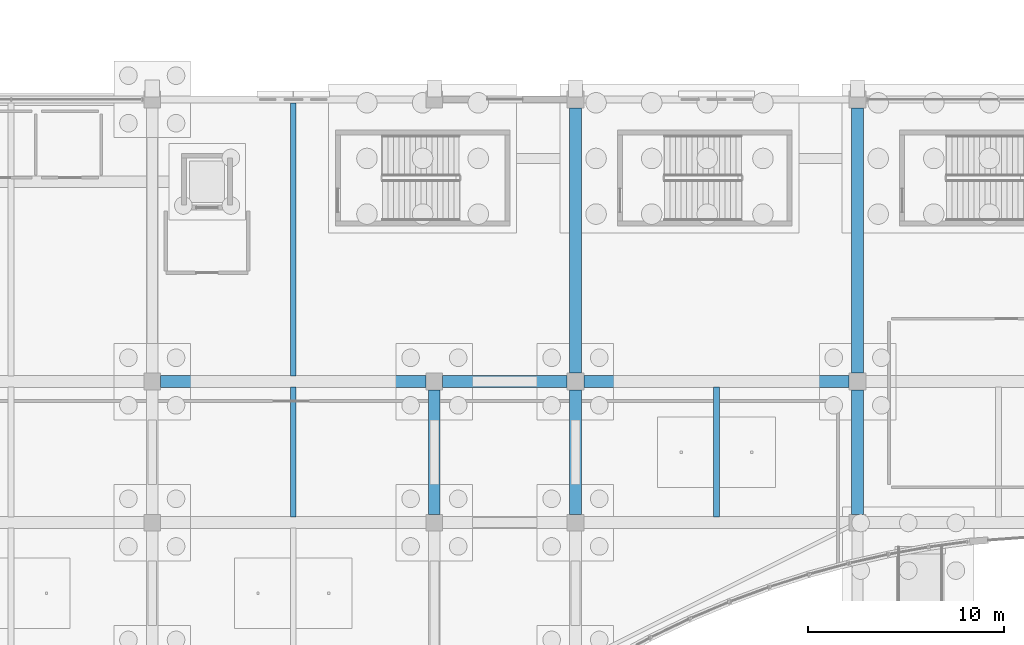
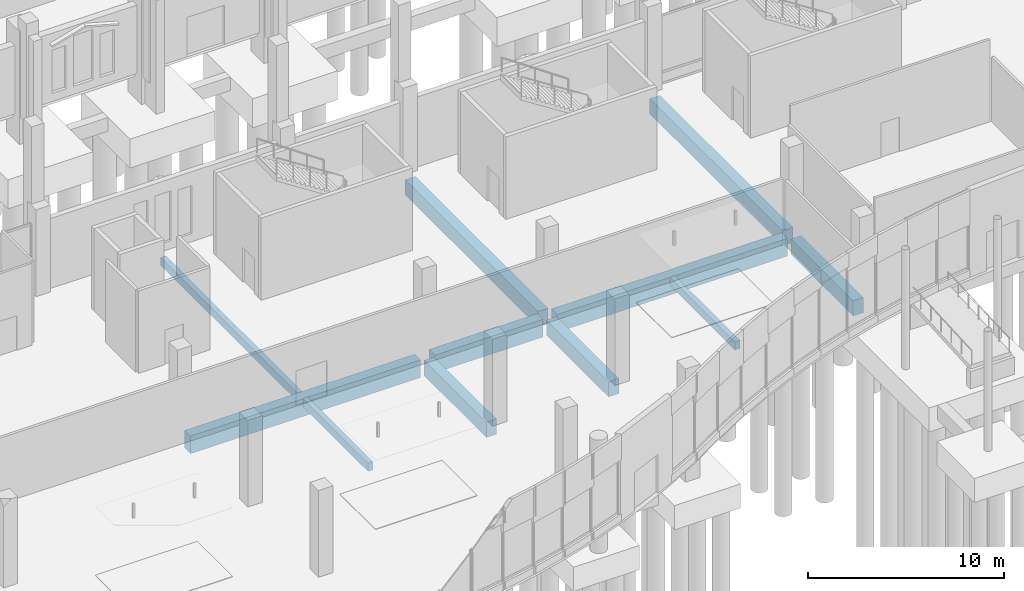
# One storey, part 49 of 192: 11 beams.
"""IFC4 building model written with IfcOpenShell, lengths in metres."""

from ifc_helpers import new_model, si_unit, direction, frame, origin, origin_2d, place, context, subcontext, project, spatial, rectangle, extrude, material, material_profile, profile_set, type_object, element, save


model = new_model("IFC4")

# Units and contexts
model_context = context("Model", 3, precision=1e-05, world=origin(), true_north=direction((0.0, 1.0)))
body_context = subcontext(model_context, "Body", "Model", "MODEL_VIEW")
ifc_project = project(units=[si_unit("LENGTHUNIT", "METRE"), si_unit("AREAUNIT", "SQUARE_METRE"), si_unit("VOLUMEUNIT", "CUBIC_METRE"), si_unit("PLANEANGLEUNIT", "RADIAN"), si_unit("MASSUNIT", "GRAM", prefix="KILO")], contexts=[model_context])

# Site, building, storey
site_placement = place(None, origin())
site = spatial("IfcSite", under=ifc_project, at=site_placement, CompositionType="ELEMENT")
building_placement = place(site_placement, origin())
building = spatial("IfcBuilding", under=site, at=building_placement, Name="Cendralis Lancet Convention Centre", CompositionType="ELEMENT")
storey_placement = place(building_placement, origin())
storey = spatial("IfcBuildingStorey", under=building, at=storey_placement, Name="L00", CompositionType="ELEMENT", Elevation=0.0)

# Beams
ifc_material_1 = material(Name="Concrete G40 (C40/50)", Category="concrete")
ifc_material_profile_1 = material_profile(ifc_material_1, rectangle(XDim=0.60009765625, YDim=1.10009765625, at=origin_2d()), Name="RCB 600x1100")
ifc_profile_set_1 = profile_set([ifc_material_profile_1], Name="Concrete G40 (C40/50)")
beam_type_1 = type_object("IfcBeamType", Name="STR-BM-BG02", PredefinedType="BEAM", material=ifc_profile_set_1)
beam_1_placement = place(storey_placement, frame((58.02490234375, 21.60009765625, -0.8701171875), z_axis=(1.0, 0.0, 0.0), x_axis=(0.0, 1.0, 0.0)))
element("IfcBeam", 1, at=beam_1_placement, inside=storey, type_object=beam_type_1, Name="L00 Beam BG02 #0676", PredefinedType="BEAM", context=body_context, shape_type="SweptSolid", body=[
    extrude(rectangle(XDim=0.60009765625, YDim=1.10009765625, at=origin_2d()), origin(), (0.0, 0.0, 1.0), 13.550048828125),
])
beam_2_placement = place(storey_placement, frame((72.425048828125, 21.60009765625, -0.8701171875), z_axis=(1.0, 0.0, 0.0), x_axis=(0.0, 1.0, 0.0)))
element("IfcBeam", 2, at=beam_2_placement, inside=storey, type_object=beam_type_1, Name="L00 Beam BG02 #0677", PredefinedType="BEAM", context=body_context, shape_type="SweptSolid", body=[
    extrude(rectangle(XDim=0.60009765625, YDim=1.10009765625, at=origin_2d()), origin(), (0.0, 0.0, 1.0), 6.349853515625),
])
beam_3_placement = place(storey_placement, frame((79.625, 21.60009765625, -0.8701171875), z_axis=(1.0, 0.0, 0.0), x_axis=(0.0, 1.0, 0.0)))
element("IfcBeam", 3, at=beam_3_placement, inside=storey, type_object=beam_type_1, Name="L00 Beam BG02 #0678", PredefinedType="BEAM", context=body_context, shape_type="SweptSolid", body=[
    extrude(rectangle(XDim=0.60009765625, YDim=1.10009765625, at=origin_2d()), origin(), (0.0, 0.0, 1.0), 13.550048828125),
])
ifc_material_profile_2 = material_profile(ifc_material_1, rectangle(XDim=0.60009765625, YDim=0.949951171875, at=origin_2d()), Name="RCB 600x950")
ifc_profile_set_2 = profile_set([ifc_material_profile_2], Name="Concrete G40 (C40/50)")
beam_type_2 = type_object("IfcBeamType", Name="STR-BM-BG04", PredefinedType="BEAM", material=ifc_profile_set_2)
for number, where, z_axis, x_axis, name in (
    (4, (72.0, 14.824951171875, -0.794921875), (0.0, 1.0, 0.0), (-1.0, 0.0, 0.0), "L00 Beam BG04 #0707"),
    (5, (79.199951171875, 14.824951171875, -0.794921875), (0.0, 1.0, 0.0), (-1.0, 0.0, 0.0), "L00 Beam BG04 #0709"),
):
    element("IfcBeam", number, at=place(storey_placement, frame(where, z_axis=z_axis, x_axis=x_axis)), inside=storey, type_object=beam_type_2, Name=name, PredefinedType="BEAM", context=body_context, shape_type="SweptSolid", body=[
        extrude(rectangle(XDim=0.60009765625, YDim=0.949951171875, at=origin_2d()), origin(), (0.0, 0.0, 1.0), 6.35009765625),
    ])
beam_4_placement = place(storey_placement, frame((79.199951171875, 22.02490234375, -0.794921875), z_axis=(0.0, 1.0, 0.0), x_axis=(-1.0, 0.0, 0.0)))
element("IfcBeam", 6, at=beam_4_placement, inside=storey, type_object=beam_type_2, Name="L00 Beam BG04 #0710", PredefinedType="BEAM", context=body_context, shape_type="SweptSolid", body=[
    extrude(rectangle(XDim=0.60009765625, YDim=0.949951171875, at=origin_2d()), origin(), (0.0, 0.0, 1.0), 13.550048828125),
])
beam_5_placement = place(storey_placement, frame((93.60009765625, 14.824951171875, -0.794921875), z_axis=(0.0, 1.0, 0.0), x_axis=(-1.0, 0.0, 0.0)))
element("IfcBeam", 7, at=beam_5_placement, inside=storey, type_object=beam_type_2, Name="L00 Beam BG04 #0711", PredefinedType="BEAM", context=body_context, shape_type="SweptSolid", body=[
    extrude(rectangle(XDim=0.60009765625, YDim=0.949951171875, at=origin_2d()), origin(), (0.0, 0.0, 1.0), 6.35009765625),
])
beam_6_placement = place(storey_placement, frame((93.60009765625, 22.02490234375, -0.794921875), z_axis=(0.0, 1.0, 0.0), x_axis=(-1.0, 0.0, 0.0)))
element("IfcBeam", 8, at=beam_6_placement, inside=storey, type_object=beam_type_2, Name="L00 Beam BG04 #0712", PredefinedType="BEAM", context=body_context, shape_type="SweptSolid", body=[
    extrude(rectangle(XDim=0.60009765625, YDim=0.949951171875, at=origin_2d()), origin(), (0.0, 0.0, 1.0), 13.550048828125),
])
ifc_material_2 = material(Name="Concrete G35 (C35/45)", Category="concrete")
ifc_material_profile_3 = material_profile(ifc_material_2, rectangle(XDim=0.300048828125, YDim=0.5, at=origin_2d()), Name="RCB 300x500")
ifc_profile_set_3 = profile_set([ifc_material_profile_3], Name="Concrete G35 (C35/45)")
beam_type_3 = type_object("IfcBeamType", Name="STR-JS-BJ03", PredefinedType="JOIST", material=ifc_profile_set_3)
beam_7_placement = place(storey_placement, frame((64.800048828125, 14.675048828125, -0.570068359375), z_axis=(0.0, 1.0, 0.0), x_axis=(-1.0, 0.0, 0.0)))
element("IfcBeam", 9, at=beam_7_placement, inside=storey, type_object=beam_type_3, Name="L00 Beam BJ03 #0730", PredefinedType="JOIST", context=body_context, shape_type="SweptSolid", body=[
    extrude(rectangle(XDim=0.300048828125, YDim=0.5, at=origin_2d()), origin(), (0.0, 0.0, 1.0), 6.64990234375),
])
beam_8_placement = place(storey_placement, frame((64.800048828125, 21.875, -0.570068359375), z_axis=(0.0, 1.0, 0.0), x_axis=(-1.0, 0.0, 0.0)))
element("IfcBeam", 10, at=beam_8_placement, inside=storey, type_object=beam_type_3, Name="L00 Beam BJ03 #0731", PredefinedType="JOIST", context=body_context, shape_type="SweptSolid", body=[
    extrude(rectangle(XDim=0.300048828125, YDim=0.5, at=origin_2d()), origin(), (0.0, 0.0, 1.0), 13.949951171875),
])
beam_9_placement = place(storey_placement, frame((86.39990234375, 14.675048828125, -0.570068359375), z_axis=(0.0, 1.0, 0.0), x_axis=(-1.0, 0.0, 0.0)))
element("IfcBeam", 11, at=beam_9_placement, inside=storey, type_object=beam_type_3, Name="L00 Beam BJ03 #0732", PredefinedType="JOIST", context=body_context, shape_type="SweptSolid", body=[
    extrude(rectangle(XDim=0.300048828125, YDim=0.5, at=origin_2d()), origin(), (0.0, 0.0, 1.0), 6.64990234375),
])

save(model, "model.ifc")
